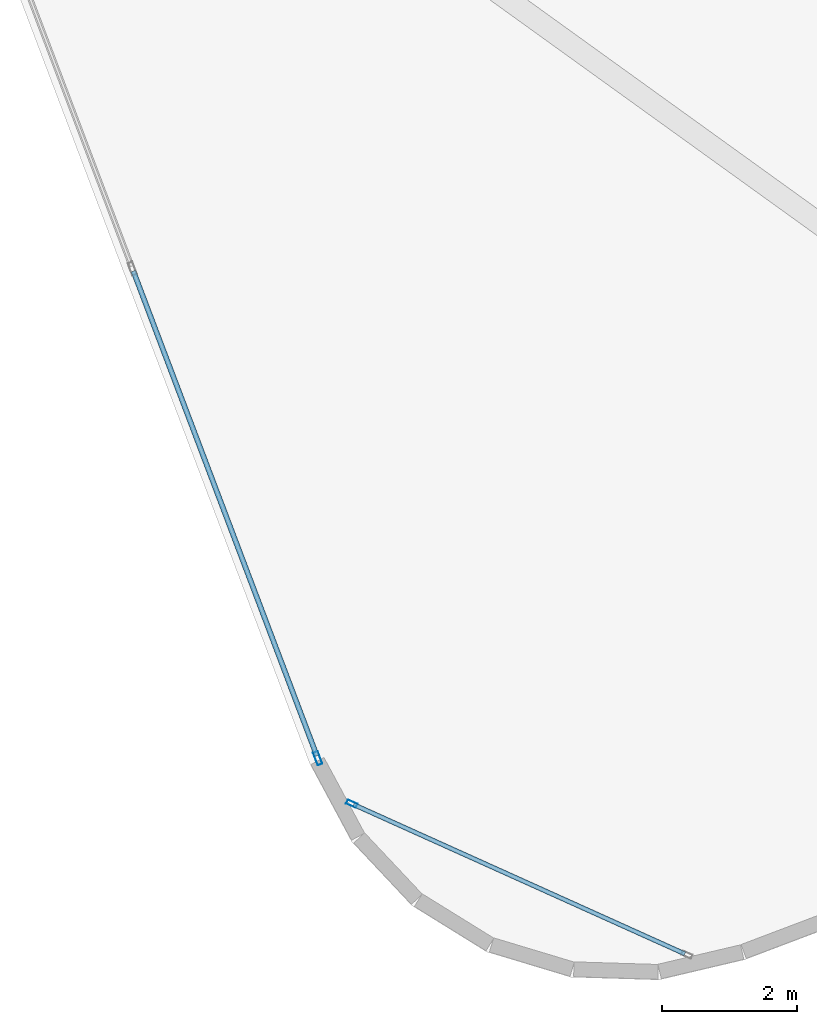
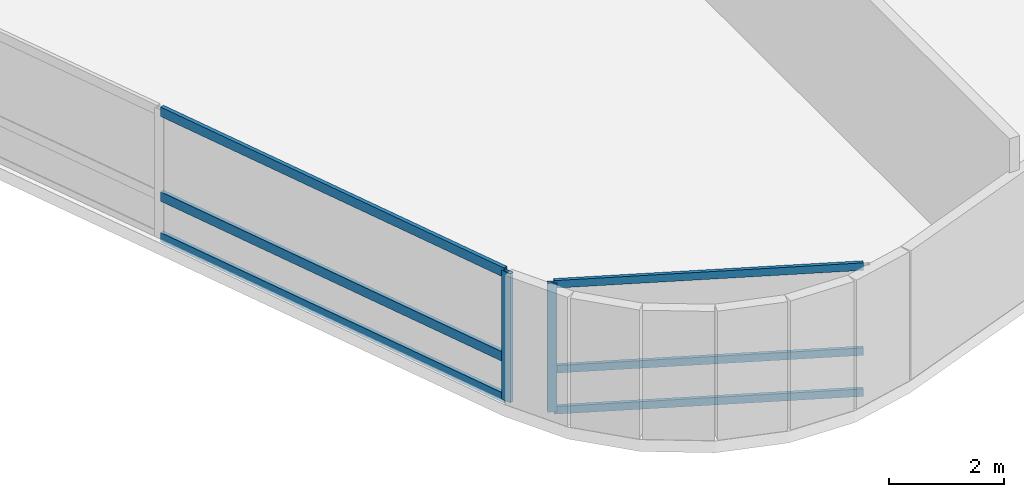
# One storey, part 3 of 23: 8 members, 2 elements without a shape of their own.
"""IFC4 building model written with IfcOpenShell, lengths in metres."""

from ifc_helpers import new_model, si_unit, direction, frame, origin, origin_2d, place, context, subcontext, project, spatial, hollow_rectangle, extrude, material, layer, layer_set, material_profile, profile_set, type_object, element, aggregate, save


model = new_model("IFC4")

# Units and contexts
model_context = context("Model", 3, precision=1e-05, world=origin(), true_north=direction((0.0, 1.0)))
body_context = subcontext(model_context, "Body", "Model", "MODEL_VIEW")
ifc_project = project(units=[si_unit("LENGTHUNIT", "METRE"), si_unit("AREAUNIT", "SQUARE_METRE"), si_unit("VOLUMEUNIT", "CUBIC_METRE"), si_unit("PLANEANGLEUNIT", "RADIAN"), si_unit("MASSUNIT", "GRAM", prefix="KILO")], contexts=[model_context])

# Site, building, storey
site_placement = place(None, origin())
site = spatial("IfcSite", under=ifc_project, at=site_placement, CompositionType="ELEMENT")
building_placement = place(site_placement, origin())
building = spatial("IfcBuilding", under=site, at=building_placement, Name="Varnelok Gate Tower", CompositionType="ELEMENT")
storey_placement = place(building_placement, frame((0.0, 0.0, 227.5)))
storey = spatial("IfcBuildingStorey", under=building, at=storey_placement, Name="L58", CompositionType="ELEMENT", Elevation=227.5)

# Curtain wall, member
ifc_material = material(Name="Anodized Aluminum Alloy 6063-T6", Category="aluminium")
ifc_layer_1 = layer(ifc_material, 0.179931640625)
ifc_layer_set_1 = layer_set([ifc_layer_1], Name="Anodized Aluminum Alloy 6063-T6")
curtain_wall_type_1 = type_object("IfcCurtainWallType", Name="CW5-WINDCORNER-GLAZ", PredefinedType="USERDEFINED", material=ifc_layer_set_1)
curtain_wall_1_placement = place(storey_placement, origin())
curtain_wall_1 = element("IfcCurtainWall", 1, at=curtain_wall_1_placement, inside=storey, type_object=curtain_wall_type_1, Name="L58 Wind-Shaped Corner Curtain Wall SW", ObjectType="STRUCTURAL GLAZING", PredefinedType="USERDEFINED")
ifc_material_profile_1 = material_profile(ifc_material, hollow_rectangle(XDim=0.06494140625, YDim=0.159912109375, WallThickness=0.00390625, at=origin_2d()), Name="ALU160X65X4")
ifc_profile_set_1 = profile_set([ifc_material_profile_1], Name="Anodized Aluminum Alloy 6063-T6")
member_type_1 = type_object("IfcMemberType", Name="CW-MULL-160", PredefinedType="MULLION", material=ifc_profile_set_1)
member_1_placement = place(storey_placement, frame((14.39013671875, -1.599853515625, 0.0), z_axis=(0.0, 0.0, 1.0), x_axis=(0.410939058285, 0.911662816164, 0.0)))
member_1 = element("IfcMember", 2, at=member_1_placement, type_object=member_type_1, Name="CW5 mullion 1", PredefinedType="MULLION", context=body_context, shape_type="SweptSolid", body=[
    extrude(hollow_rectangle(XDim=0.06494140625, YDim=0.159912109375, WallThickness=0.00390625, at=origin_2d()), origin(), (0.0, 0.0, 1.0), 2.72998046875),
])

ifc_layer_2 = layer(ifc_material, 0.179931640625)
ifc_layer_set_2 = layer_set([ifc_layer_2], Name="Anodized Aluminum Alloy 6063-T6")
curtain_wall_type_2 = type_object("IfcCurtainWallType", Name="CW4-RESIDENCE-VISION", PredefinedType="USERDEFINED", material=ifc_layer_set_2)
curtain_wall_2_placement = place(storey_placement, origin())
curtain_wall_2 = element("IfcCurtainWall", 3, at=curtain_wall_2_placement, inside=storey, type_object=curtain_wall_type_2, Name="L58 West End Vision Curtain Wall", ObjectType="UNITISED CURTAIN WALL", PredefinedType="USERDEFINED")
ifc_material_profile_2 = material_profile(ifc_material, hollow_rectangle(XDim=0.074951171875, YDim=0.199951171875, WallThickness=0.00390625, at=origin_2d()), Name="ALU200X75X4")
ifc_profile_set_2 = profile_set([ifc_material_profile_2], Name="Anodized Aluminum Alloy 6063-T6")
member_type_2 = type_object("IfcMemberType", Name="CW-MULL-200", PredefinedType="MULLION", material=ifc_profile_set_2)
member_2_placement = place(storey_placement, frame((13.88525390625, -0.92431640625, 0.0), z_axis=(0.0, 0.0, 1.0), x_axis=(-0.935221557832, -0.354063042079, 0.0)))
member_2 = element("IfcMember", 4, at=member_2_placement, type_object=member_type_2, Name="CW4 mullion 1", PredefinedType="MULLION", context=body_context, shape_type="SweptSolid", body=[
    extrude(hollow_rectangle(XDim=0.074951171875, YDim=0.199951171875, WallThickness=0.00390625, at=origin_2d()), origin(), (0.0, 0.0, 1.0), 2.72998046875),
])

# Member
ifc_material_profile_3 = material_profile(ifc_material, hollow_rectangle(XDim=0.06494140625, YDim=0.159912109375, WallThickness=0.00390625, at=origin_2d()), Name="ALU160X65X4")
ifc_profile_set_3 = profile_set([ifc_material_profile_3], Name="Anodized Aluminum Alloy 6063-T6")
member_type_3 = type_object("IfcMemberType", Name="CW-TRAN-160", PredefinedType="USERDEFINED", material=ifc_profile_set_3)
member_3_placement = place(storey_placement, frame((14.419677734375, -1.613037109375, 0.032470703125), z_axis=(0.911658364324, -0.41094893449, 0.0), x_axis=(0.41094893449, 0.911658364324, 0.0)))
member_3 = element("IfcMember", 5, at=member_3_placement, type_object=member_type_3, Name="CW5 transom 1.1", ObjectType="TRANSOM", PredefinedType="USERDEFINED", context=body_context, shape_type="SweptSolid", body=[
    extrude(hollow_rectangle(XDim=0.06494140625, YDim=0.159912109375, WallThickness=0.00390625, at=origin_2d()), origin(), (0.0, 0.0, 1.0), 5.385498046875),
])

member_4_placement = place(storey_placement, frame((14.419677734375, -1.613037109375, 0.89990234375), z_axis=(0.911658364324, -0.41094893449, 0.0), x_axis=(0.41094893449, 0.911658364324, 0.0)))
member_4 = element("IfcMember", 6, at=member_4_placement, type_object=member_type_3, Name="CW5 transom 1.2", ObjectType="TRANSOM", PredefinedType="USERDEFINED", context=body_context, shape_type="SweptSolid", body=[
    extrude(hollow_rectangle(XDim=0.06494140625, YDim=0.159912109375, WallThickness=0.00390625, at=origin_2d()), origin(), (0.0, 0.0, 1.0), 5.385498046875),
])

member_5_placement = place(storey_placement, frame((14.419677734375, -1.613037109375, 2.697509765625), z_axis=(0.911658364324, -0.41094893449, 0.0), x_axis=(0.41094893449, 0.911658364324, 0.0)))
member_5 = element("IfcMember", 7, at=member_5_placement, type_object=member_type_3, Name="CW5 transom 1.3", ObjectType="TRANSOM", PredefinedType="USERDEFINED", context=body_context, shape_type="SweptSolid", body=[
    extrude(hollow_rectangle(XDim=0.06494140625, YDim=0.159912109375, WallThickness=0.00390625, at=origin_2d()), origin(), (0.0, 0.0, 1.0), 5.385498046875),
])

aggregate(curtain_wall_1, [member_1, member_3, member_4, member_5])

ifc_material_profile_4 = material_profile(ifc_material, hollow_rectangle(XDim=0.074951171875, YDim=0.199951171875, WallThickness=0.00390625, at=origin_2d()), Name="ALU200X75X4")
ifc_profile_set_4 = profile_set([ifc_material_profile_4], Name="Anodized Aluminum Alloy 6063-T6")
member_type_4 = type_object("IfcMemberType", Name="CW-TRAN-200", PredefinedType="USERDEFINED", material=ifc_profile_set_4)
member_6_placement = place(storey_placement, frame((13.871826171875, -0.88916015625, 0.03759765625), z_axis=(-0.354045264669, 0.935228287941, 0.0), x_axis=(-0.935228287941, -0.354045264669, 0.0)))
member_6 = element("IfcMember", 8, at=member_6_placement, type_object=member_type_4, Name="CW4 transom 1.1", ObjectType="TRANSOM", PredefinedType="USERDEFINED", context=body_context, shape_type="SweptSolid", body=[
    extrude(hollow_rectangle(XDim=0.074951171875, YDim=0.199951171875, WallThickness=0.00390625, at=origin_2d()), origin(), (0.0, 0.0, 1.0), 7.687255859375),
])

member_7_placement = place(storey_placement, frame((13.871826171875, -0.88916015625, 0.89990234375), z_axis=(-0.354045264669, 0.935228287941, 0.0), x_axis=(-0.935228287941, -0.354045264669, 0.0)))
member_7 = element("IfcMember", 9, at=member_7_placement, type_object=member_type_4, Name="CW4 transom 1.2", ObjectType="TRANSOM", PredefinedType="USERDEFINED", context=body_context, shape_type="SweptSolid", body=[
    extrude(hollow_rectangle(XDim=0.074951171875, YDim=0.199951171875, WallThickness=0.00390625, at=origin_2d()), origin(), (0.0, 0.0, 1.0), 7.687255859375),
])

member_8_placement = place(storey_placement, frame((13.871826171875, -0.88916015625, 2.6923828125), z_axis=(-0.354045264669, 0.935228287941, 0.0), x_axis=(-0.935228287941, -0.354045264669, 0.0)))
member_8 = element("IfcMember", 10, at=member_8_placement, type_object=member_type_4, Name="CW4 transom 1.3", ObjectType="TRANSOM", PredefinedType="USERDEFINED", context=body_context, shape_type="SweptSolid", body=[
    extrude(hollow_rectangle(XDim=0.074951171875, YDim=0.199951171875, WallThickness=0.00390625, at=origin_2d()), origin(), (0.0, 0.0, 1.0), 7.687255859375),
])

aggregate(curtain_wall_2, [member_2, member_6, member_7, member_8])

save(model, "model.ifc")
